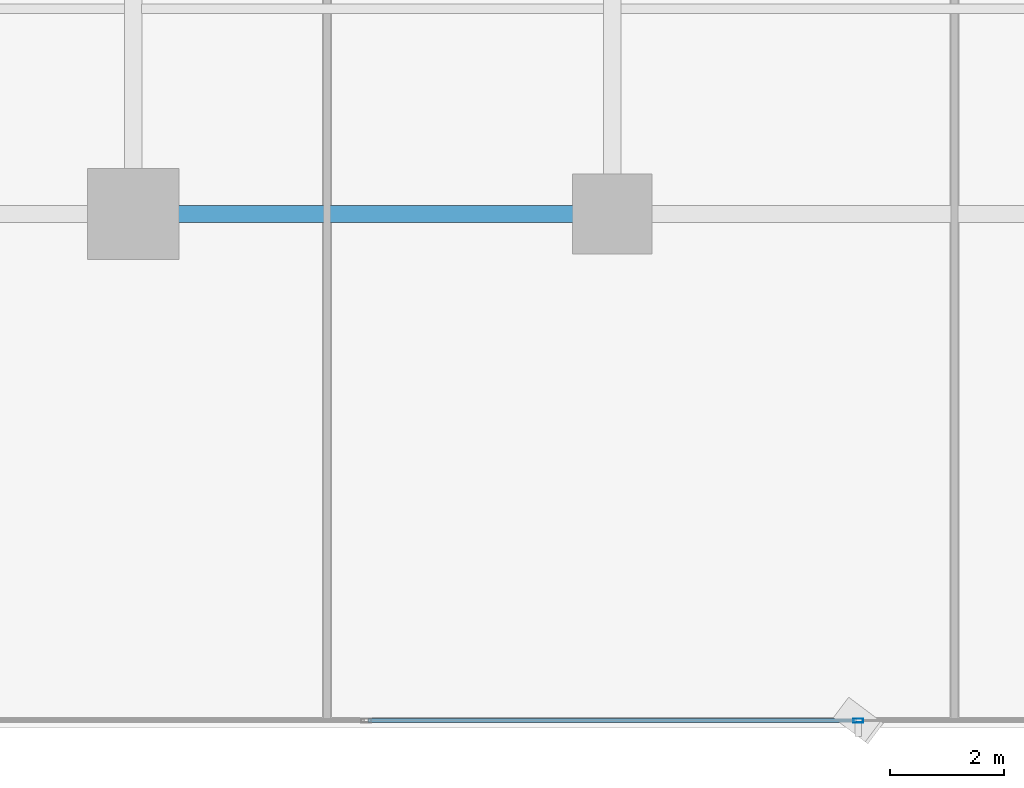
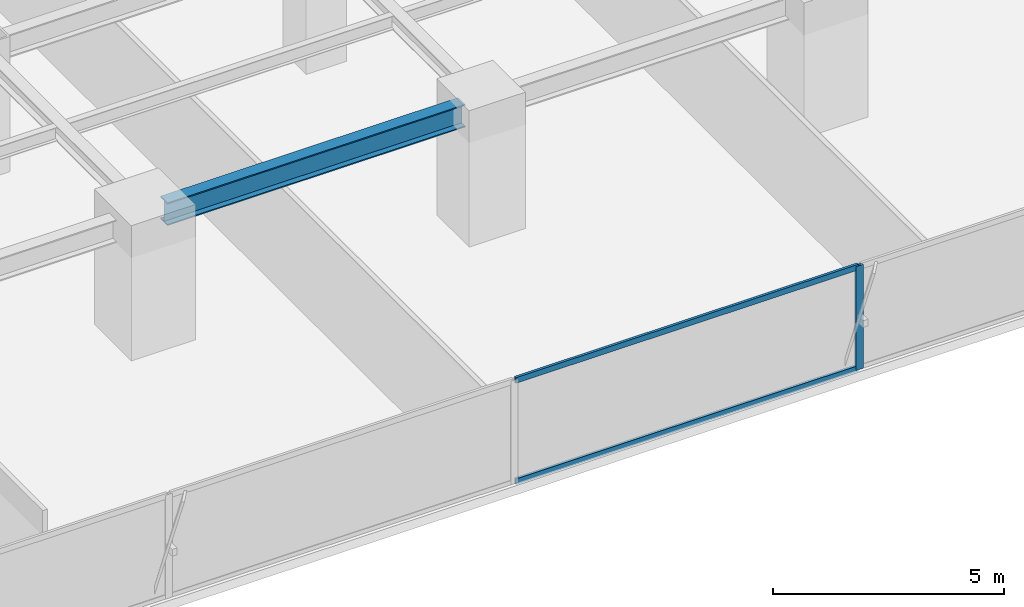
# One storey, part 5 of 33: 3 members, 1 beam, 1 element without a shape of its own.
"""IFC4 building model written with IfcOpenShell, lengths in metres."""

import ifcopenshell
import ifcopenshell.guid

model = None  # the IFC model being written
_history = None  # IfcOwnerHistory: only IFC2X3 demands one
_inside = {}  # id of a spatial element -> (the spatial element, [elements in it])
_under = {}  # id of a project, library or spatial element -> (it, [spatial elements below it])
_declared = {}  # id of a project -> (the project, [libraries it declares])
_typed = {}  # id of a type object -> (the type object, [elements of that type])
_made_of = {}  # id of a material, layer set ... -> (it, [elements and type objects made of it])


def new_model(schema):
    """Start an empty IFC model of exactly this schema.

    Asked for "IFC4X3", IfcOpenShell would pick the latest addendum, in which some entities
    have other attributes; the version numbers below select the first issue.
    IFC2X3 requires an IfcOwnerHistory on every rooted entity: one is made here for all.
    """
    global model, _history
    if schema == "IFC4X3":
        model = ifcopenshell.file(schema_version=(4, 3, 0, 0))
    else:
        model = ifcopenshell.file(schema=schema)
    _inside.clear()
    _under.clear()
    _declared.clear()
    _typed.clear()
    _made_of.clear()
    _history = None
    if model.schema == "IFC2X3":
        org = make("IfcOrganization", Name="unknown")
        user = make(
            "IfcPersonAndOrganization",
            ThePerson=make("IfcPerson", FamilyName="unknown"),
            TheOrganization=org,
        )
        app = make(
            "IfcApplication",
            ApplicationDeveloper=org,
            Version="unknown",
            ApplicationFullName="unknown",
            ApplicationIdentifier="unknown",
        )
        _history = make(
            "IfcOwnerHistory",
            OwningUser=user,
            OwningApplication=app,
            ChangeAction="ADDED",
            CreationDate=0,
        )
    return model


def make(cls, **values):
    """One entity of the class cls with the attributes given. An attribute that is None is left unset."""
    return model.create_entity(
        cls, **{name: value for name, value in values.items() if value is not None}
    )


def rooted(cls, **values):
    """An entity with a GlobalId (a new one), such as an element, a storey or a relation."""
    return make(cls, GlobalId=ifcopenshell.guid.new(), OwnerHistory=_history, **values)


def si_unit(unit_type, name, prefix=None):
    """IfcSIUnit, for example si_unit("LENGTHUNIT", "METRE", prefix="MILLI")."""
    return make("IfcSIUnit", UnitType=unit_type, Prefix=prefix, Name=name)


def assignment(units):
    """IfcUnitAssignment: the units of a project."""
    return None if units is None else make("IfcUnitAssignment", Units=units)


def point(xyz):
    """IfcCartesianPoint."""
    return None if xyz is None else make("IfcCartesianPoint", Coordinates=xyz)


def direction(xyz):
    """IfcDirection."""
    return None if xyz is None else make("IfcDirection", DirectionRatios=xyz)


def frame(location, z_axis=None, x_axis=None):
    """IfcAxis2Placement3D, a coordinate frame: its origin and axes. An axis left out is left unset."""
    return make(
        "IfcAxis2Placement3D",
        Location=point(location),
        Axis=direction(z_axis),
        RefDirection=direction(x_axis),
    )


def frame_2d(location, x_axis=None):
    """IfcAxis2Placement2D, a coordinate frame in the plane: its origin and x axis."""
    return make(
        "IfcAxis2Placement2D", Location=point(location), RefDirection=direction(x_axis)
    )


def origin():
    """The frame at (0, 0, 0) with its axes left unset."""
    return frame((0.0, 0.0, 0.0))


def origin_2d():
    """The frame at (0, 0) in the plane with its x axis left unset."""
    return frame_2d((0.0, 0.0))


def place(relative_to, where):
    """IfcLocalPlacement: puts the frame where relative to a parent placement (None: the world)."""
    return make(
        "IfcLocalPlacement", PlacementRelTo=relative_to, RelativePlacement=where
    )


def context(
    kind, dimensions, precision=None, world=None, true_north=None, identifier=None
):
    """IfcGeometricRepresentationContext, for example the 3D "Model" context."""
    return make(
        "IfcGeometricRepresentationContext",
        ContextIdentifier=identifier,
        ContextType=kind,
        CoordinateSpaceDimension=dimensions,
        Precision=precision,
        WorldCoordinateSystem=world,
        TrueNorth=true_north,
    )


def subcontext(parent, identifier, kind, view, scale=None):
    """IfcGeometricRepresentationSubContext, for example "Body" below "Model"."""
    return make(
        "IfcGeometricRepresentationSubContext",
        ContextIdentifier=identifier,
        ContextType=kind,
        ParentContext=parent,
        TargetScale=scale,
        TargetView=view,
    )


def project(units=None, contexts=None):
    """IfcProject with its units and contexts."""
    return rooted(
        "IfcProject",
        Name="project",
        RepresentationContexts=contexts,
        UnitsInContext=assignment(units),
    )


def spatial(cls, under=None, at=None, **own):
    """A site, building, storey or space (cls), placed at a placement, below another one or the project."""
    s = rooted(cls, ObjectPlacement=at, **own)
    if under is not None:
        _under.setdefault(under.id(), (under, []))[1].append(s)
    return s


def profile(cls, at=None, kind="AREA", **sizes):
    """A parametric profile (cls). Its sizes go by their IFC names, for example OverallWidth=200.0."""
    return make(cls, ProfileType=kind, Position=at, **sizes)


def hollow_rectangle(**sizes):
    """IfcRectangleHollowProfileDef."""
    return profile("IfcRectangleHollowProfileDef", **sizes)


def i_section(**sizes):
    """IfcIShapeProfileDef."""
    return profile("IfcIShapeProfileDef", **sizes)


def extrude(swept, where, along, depth):
    """IfcExtrudedAreaSolid: the profile swept, set in the frame where, extruded along a direction by depth."""
    return make(
        "IfcExtrudedAreaSolid",
        SweptArea=swept,
        Position=where,
        ExtrudedDirection=direction(along),
        Depth=depth,
    )


def shape(context_of_items, identifier, shape_type, items):
    """IfcShapeRepresentation: the items that make up one representation, for example the "Body"."""
    return make(
        "IfcShapeRepresentation",
        ContextOfItems=context_of_items,
        RepresentationIdentifier=identifier,
        RepresentationType=shape_type,
        Items=items,
    )


def source(mapping_origin, context_of_items, identifier, shape_type, items):
    """IfcRepresentationMap: a shape defined once, which mapped items show again and again."""
    return make(
        "IfcRepresentationMap",
        MappingOrigin=mapping_origin,
        MappedRepresentation=shape(context_of_items, identifier, shape_type, items),
    )


def transform(
    local_origin,
    x_axis=None,
    y_axis=None,
    z_axis=None,
    scale=None,
    scale2=None,
    scale3=None,
    uniform=True,
):
    """IfcCartesianTransformationOperator3D, or its non-uniform kind. x_axis, y_axis, z_axis: its Axis1, 2, 3."""
    if uniform:
        return make(
            "IfcCartesianTransformationOperator3D",
            Axis1=direction(x_axis),
            Axis2=direction(y_axis),
            LocalOrigin=point(local_origin),
            Scale=scale,
            Axis3=direction(z_axis),
        )
    return make(
        "IfcCartesianTransformationOperator3DnonUniform",
        Axis1=direction(x_axis),
        Axis2=direction(y_axis),
        LocalOrigin=point(local_origin),
        Scale=scale,
        Axis3=direction(z_axis),
        Scale2=scale2,
        Scale3=scale3,
    )


def mapped(mapping_source, mapping_target):
    """IfcMappedItem: shows the shape of a source again, moved by a transform."""
    return make(
        "IfcMappedItem", MappingSource=mapping_source, MappingTarget=mapping_target
    )


def material(Name=None, Category=None):
    """IfcMaterial."""
    return make("IfcMaterial", Name=Name, Category=Category)


def layer(
    of_material, thickness, ventilated=None, Name=None, Category=None, Priority=None
):
    """IfcMaterialLayer: one layer of a wall or slab, of a material (None: an air gap)."""
    return make(
        "IfcMaterialLayer",
        Material=of_material,
        LayerThickness=thickness,
        IsVentilated=ventilated,
        Name=Name,
        Category=Category,
        Priority=Priority,
    )


def layer_set(layers, Name=None):
    """IfcMaterialLayerSet."""
    return make("IfcMaterialLayerSet", MaterialLayers=layers, LayerSetName=Name)


def material_profile(
    of_material, cross_section, Name=None, Category=None, Priority=None
):
    """IfcMaterialProfile: a cross section and its material."""
    return make(
        "IfcMaterialProfile",
        Name=Name,
        Material=of_material,
        Profile=cross_section,
        Priority=Priority,
        Category=Category,
    )


def profile_set(profiles, Name=None, composite=None):
    """IfcMaterialProfileSet."""
    return make(
        "IfcMaterialProfileSet",
        Name=Name,
        MaterialProfiles=profiles,
        CompositeProfile=composite,
    )


def made_of(thing, what):
    """Note that an element or type object is made of a material, layer set ...; save() writes the relation."""
    if what is not None:
        _made_of.setdefault(what.id(), (what, []))[1].append(thing)
    return thing


def type_object(cls, material=None, **own):
    """A type object (cls), such as IfcWallType, which elements share."""
    return made_of(rooted(cls, **own), material)


def element(
    cls,
    number,
    at=None,
    inside=None,
    cuts=None,
    type_object=None,
    material=None,
    context=None,
    identifier="Body",
    shape_type=None,
    held_by="IfcProductDefinitionShape",
    body=None,
    shapes=None,
    **own,
):
    """One element of the class cls, such as IfcWall. Its Tag is "e" and its number.

    at: its placement. inside: the storey or other place that contains it. cuts: it is an
    opening in that element (IfcRelVoidsElement). A single representation is given by context,
    identifier, shape_type and body (its items); several are given by shapes. held_by: the class
    of the entity that holds the representations. save() writes the other relations.
    """
    e = rooted(cls, Tag="e%d" % number, ObjectPlacement=at, **own)
    if body is not None:
        shapes = [shape(context, identifier, shape_type, body)]
    if shapes is not None:
        e.Representation = make(held_by, Representations=shapes)
    if inside is not None:
        _inside.setdefault(inside.id(), (inside, []))[1].append(e)
    if cuts is not None:
        rooted(
            "IfcRelVoidsElement", RelatingBuildingElement=cuts, RelatedOpeningElement=e
        )
    if type_object is not None:
        _typed.setdefault(type_object.id(), (type_object, []))[1].append(e)
    return made_of(e, material)


def aggregate(whole, parts):
    """IfcRelAggregates: a whole, such as a stair, and the parts it consists of."""
    return rooted("IfcRelAggregates", RelatingObject=whole, RelatedObjects=parts)


def save(model, path):
    """Write the relations noted so far, then the file.

    IfcRelAggregates (storeys below a building ...), IfcRelContainedInSpatialStructure (elements
    in a storey), IfcRelDefinesByType, IfcRelAssociatesMaterial and IfcRelDeclares: one each for
    every whole, place, type object, material and project.
    """
    for whole, parts in _under.values():
        aggregate(whole, parts)
    for where, things in _inside.values():
        rooted(
            "IfcRelContainedInSpatialStructure",
            RelatedElements=things,
            RelatingStructure=where,
        )
    for kind, things in _typed.values():
        rooted("IfcRelDefinesByType", RelatedObjects=things, RelatingType=kind)
    for what, things in _made_of.values():
        rooted("IfcRelAssociatesMaterial", RelatedObjects=things, RelatingMaterial=what)
    for by, libraries in _declared.values():
        rooted("IfcRelDeclares", RelatingContext=by, RelatedDefinitions=libraries)
    model.write(path)


model = new_model("IFC4")

# Units and contexts
model_context = context("Model", 3, precision=1e-05, world=origin(), true_north=direction((0.0, 1.0)))
body_context = subcontext(model_context, "Body", "Model", "MODEL_VIEW")
ifc_project = project(units=[si_unit("LENGTHUNIT", "METRE"), si_unit("AREAUNIT", "SQUARE_METRE"), si_unit("VOLUMEUNIT", "CUBIC_METRE"), si_unit("PLANEANGLEUNIT", "RADIAN"), si_unit("MASSUNIT", "GRAM", prefix="KILO")], contexts=[model_context])

# Site, building, storey
site_placement = place(None, origin())
site = spatial("IfcSite", under=ifc_project, at=site_placement, CompositionType="ELEMENT")
building_placement = place(site_placement, origin())
building = spatial("IfcBuilding", under=site, at=building_placement, Name="Sumidabori Civic Tower", CompositionType="ELEMENT")
storey_placement = place(building_placement, frame((0.0, 0.0, 30.800048828125)))
storey = spatial("IfcBuildingStorey", under=building, at=storey_placement, Name="L07", CompositionType="ELEMENT", Elevation=30.800048828125)

# Beam
ifc_material_1 = material(Name="Steel SN490", Category="steel")
ifc_material_profile_1 = material_profile(ifc_material_1, i_section(OverallWidth=0.300048828125, OverallDepth=0.60009765625, WebThickness=0.015380859375, FlangeThickness=0.030029296875, at=origin_2d()), Name="HE 600 B")
ifc_profile_set_1 = profile_set([ifc_material_profile_1], Name="Steel SN490")
beam_type = type_object("IfcBeamType", Name="BM-GIRD-600", PredefinedType="BEAM", material=ifc_profile_set_1)
shared_shape_1 = source(origin(), body_context, "Body", "SweptSolid", [
    extrude(i_section(OverallWidth=0.300048828125, OverallDepth=0.60009765625, WebThickness=0.015380859375, FlangeThickness=0.030029296875, at=origin_2d()), origin(), (0.0, 0.0, 1.0), 7.43994140625),
])
beam_placement = place(storey_placement, frame((-7.919921875, -18.0, 3.06005859375), z_axis=(1.0, 0.0, 0.0), x_axis=(0.0, 1.0, 0.0)))
element("IfcBeam", 1, at=beam_placement, inside=storey, type_object=beam_type, Name="Primary Girder L07 GX-03", PredefinedType="BEAM", context=body_context, shape_type="MappedRepresentation", body=[
    mapped(shared_shape_1, transform((0.0, 0.0, 0.0), x_axis=(1.0, 0.0, 0.0), y_axis=(0.0, 1.0, 0.0), z_axis=(0.0, 0.0, 1.0), scale=1.0)),
])

# Curtain wall, members
ifc_material_2 = material(Name="Anodised Bronze Aluminium AW-6063-T6", Category="aluminium")
ifc_layer = layer(ifc_material_2, 0.179931640625, Name="Anodised Bronze Aluminium AW-6063-T6")
ifc_layer_set = layer_set([ifc_layer], Name="Anodised Bronze Aluminium AW-6063-T6")
curtain_wall_type = type_object("IfcCurtainWallType", Name="CW-SYS-2", PredefinedType="NOTDEFINED", material=ifc_layer_set)
curtain_wall_placement = place(storey_placement, origin())
curtain_wall = element("IfcCurtainWall", 2, at=curtain_wall_placement, inside=storey, type_object=curtain_wall_type, Name="Curtain Wall CW:L07:R01", PredefinedType="NOTDEFINED")
ifc_material_profile_2 = material_profile(ifc_material_2, hollow_rectangle(XDim=0.070068359375, YDim=0.179931640625, WallThickness=0.006103515625, at=origin_2d()), Name="ALU MULLION 180x70")
ifc_profile_set_2 = profile_set([ifc_material_profile_2], Name="Anodised Bronze Aluminium AW-6063-T6")
member_type_1 = type_object("IfcMemberType", Name="CW-MUL-180", PredefinedType="MULLION", material=ifc_profile_set_2)
shared_shape_2 = source(origin(), body_context, "Body", "SweptSolid", [
    extrude(hollow_rectangle(XDim=0.070068359375, YDim=0.179931640625, WallThickness=0.006103515625, at=origin_2d()), origin(), (0.0, 0.0, 1.0), 2.739990234375),
])
member_1_placement = place(storey_placement, frame((4.31396484375, -26.8798828125, 0.0), z_axis=(0.0, 0.0, 1.0), x_axis=(0.0, 1.0, 0.0)))
member_1 = element("IfcMember", 3, at=member_1_placement, type_object=member_type_1, Name="CW-2 mullion 4", PredefinedType="MULLION", context=body_context, shape_type="MappedRepresentation", body=[
    mapped(shared_shape_2, transform((0.0, 0.0, 0.0), x_axis=(1.0, 0.0, 0.0), y_axis=(0.0, 1.0, 0.0), z_axis=(0.0, 0.0, 1.0), scale=1.0)),
])
ifc_material_profile_3 = material_profile(ifc_material_2, hollow_rectangle(XDim=0.06494140625, YDim=0.14990234375, WallThickness=0.0048828125, at=origin_2d()), Name="ALU TRANSOM 150x65")
ifc_profile_set_3 = profile_set([ifc_material_profile_3], Name="Anodised Bronze Aluminium AW-6063-T6")
member_type_2 = type_object("IfcMemberType", Name="CW-TRN-150", PredefinedType="USERDEFINED", material=ifc_profile_set_3)
shared_shape_3 = source(origin(), body_context, "Body", "SweptSolid", [
    extrude(hollow_rectangle(XDim=0.06494140625, YDim=0.14990234375, WallThickness=0.0048828125, at=origin_2d()), origin(), (0.0, 0.0, 1.0), 8.55810546875),
])
member_2_placement = place(storey_placement, frame((-4.279052734375, -26.8798828125, 0.032470703125), z_axis=(1.0, 0.0, 0.0), x_axis=(0.0, 1.0, 0.0)))
member_2 = element("IfcMember", 4, at=member_2_placement, type_object=member_type_2, Name="CW-2 transom 3.1", ObjectType="TRANSOM", PredefinedType="USERDEFINED", context=body_context, shape_type="MappedRepresentation", body=[
    mapped(shared_shape_3, transform((0.0, 0.0, 0.0), x_axis=(1.0, 0.0, 0.0), y_axis=(0.0, 1.0, 0.0), z_axis=(0.0, 0.0, 1.0), scale=1.0)),
])
member_3_placement = place(storey_placement, frame((-4.279052734375, -26.8798828125, 2.70751953125), z_axis=(1.0, 0.0, 0.0), x_axis=(0.0, 1.0, 0.0)))
member_3 = element("IfcMember", 5, at=member_3_placement, type_object=member_type_2, Name="CW-2 transom 3.2", ObjectType="TRANSOM", PredefinedType="USERDEFINED", context=body_context, shape_type="MappedRepresentation", body=[
    mapped(shared_shape_3, transform((0.0, 0.0, 0.0), x_axis=(1.0, 0.0, 0.0), y_axis=(0.0, 1.0, 0.0), z_axis=(0.0, 0.0, 1.0), scale=1.0)),
])
aggregate(curtain_wall, [member_1, member_2, member_3])

save(model, "model.ifc")
